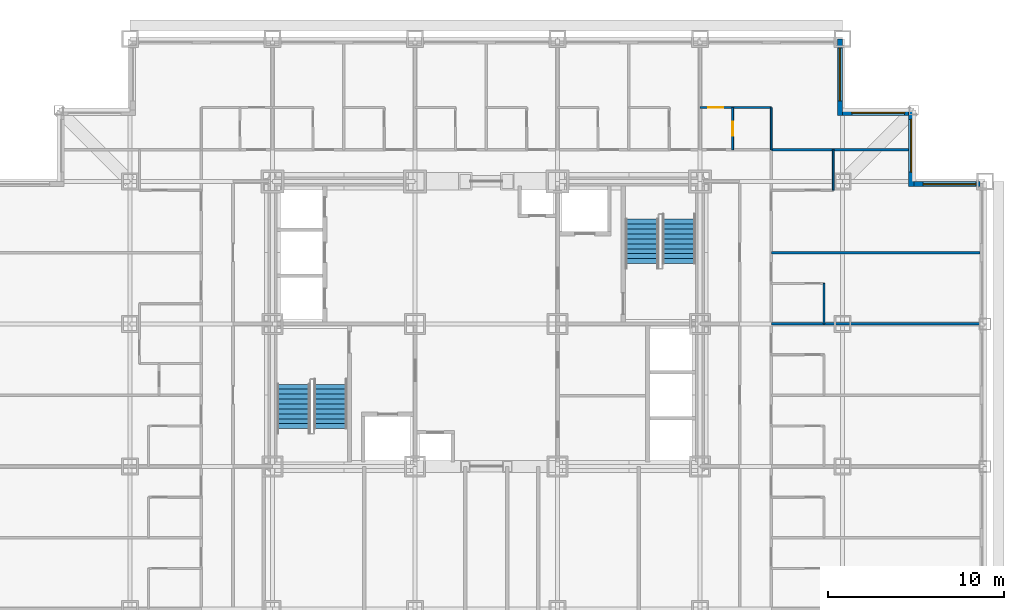
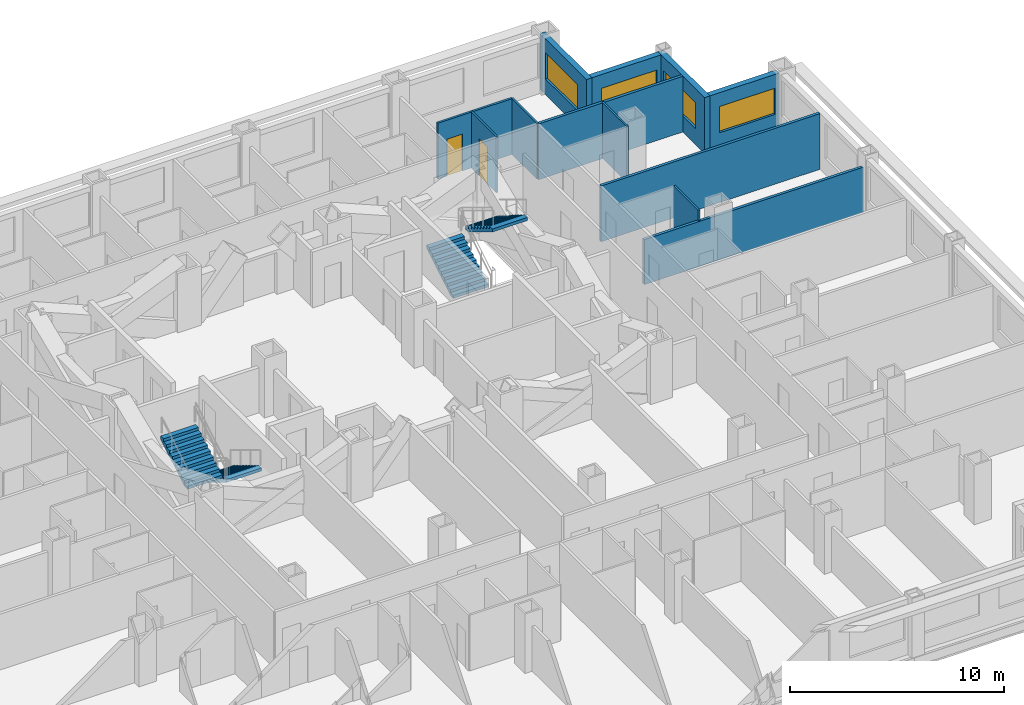
# One storey, part 10 of 11: 12 walls, 4 stair flights, 4 windows, 2 doors, 6 openings, 2 elements without a shape of their own.
"""IFC4 building model written with IfcOpenShell, lengths in metres."""

from ifc_helpers import new_model, si_unit, direction, frame, frame_2d, origin, place, context, subcontext, project, spatial, rectangle, extrude, polygons, source, transform, mapped, material, layer, layer_set, type_object, element, fill, aggregate, save


model = new_model("IFC4")

# Units and contexts
model_context = context("Model", 3, precision=1e-05, world=origin(), true_north=direction((0.0, 1.0)))
body_context = subcontext(model_context, "Body", "Model", "MODEL_VIEW")
ifc_project = project(units=[si_unit("LENGTHUNIT", "METRE"), si_unit("AREAUNIT", "SQUARE_METRE"), si_unit("VOLUMEUNIT", "CUBIC_METRE"), si_unit("PLANEANGLEUNIT", "RADIAN"), si_unit("MASSUNIT", "GRAM", prefix="KILO")], contexts=[model_context])

# Site, building, storey
site_placement = place(None, origin())
site = spatial("IfcSite", under=ifc_project, at=site_placement, CompositionType="ELEMENT")
building_placement = place(site_placement, origin())
building = spatial("IfcBuilding", under=site, at=building_placement, Name="Kopane Lantern Tower", CompositionType="ELEMENT")
storey_placement = place(building_placement, frame((0.0, 0.0, 60.199951171875)))
storey = spatial("IfcBuildingStorey", under=building, at=storey_placement, Name="L14", CompositionType="ELEMENT", Elevation=60.199951171875)

# Wall, opening, door
ifc_material_1 = material(Name="Gypsum board on steel studs", Category="steel")
ifc_layer_1 = layer(ifc_material_1, 0.1201171875)
ifc_layer_set_1 = layer_set([ifc_layer_1], Name="APARTMENT INTERNAL WALL 120")
wall_type_1 = type_object("IfcWallType", Name="APARTMENT INTERNAL WALL 120", PredefinedType="PARTITIONING", material=ifc_layer_set_1)
wall_1_placement = place(storey_placement, frame((40.5, 44.699951171875, 0.0), z_axis=(0.0, 0.0, 1.0), x_axis=(1.0, 0.0, 0.0)))
wall_1 = element("IfcWall", 1, at=wall_1_placement, inside=storey, type_object=wall_type_1, Name="Apartment Internal Wall 120 L14", PredefinedType="PARTITIONING", context=body_context, shape_type="SweptSolid", body=[
    extrude(rectangle(XDim=4.050048828125, YDim=0.1201171875, at=frame_2d((2.02490234375, 0.0))), origin(), (0.0, 0.0, 1.0), 3.18994140625),
])
opening_1_placement = place(wall_1_placement, frame((0.47509765625, 0.0, 0.0)))
opening_1 = element("IfcOpeningElement", 2, at=opening_1_placement, cuts=wall_1, Name="Opening L14-072", PredefinedType="OPENING", context=body_context, shape_type="SweptSolid", body=[
    extrude(rectangle(XDim=0.85009765625, YDim=2.10009765625, at=frame_2d((0.425048828125, 1.050048828125))), frame((0.0, 0.070068359375, 0.0), z_axis=(0.0, -1.0, 0.0), x_axis=(1.0, 0.0, 0.0)), (0.0, 0.0, 1.0), 0.14013671875),
])
ifc_material_2 = material(Name="Timber door set", Category="wood")
door_type_1 = type_object("IfcDoorType", Name="DOOR D4 850x2100", OperationType="SINGLE_SWING_LEFT", PredefinedType="DOOR", material=ifc_material_2)
door_1_placement = place(opening_1_placement, origin())
door_1 = element("IfcDoor", 3, at=door_1_placement, inside=storey, type_object=door_type_1, Name="Door L14-072", OperationType="SINGLE_SWING_LEFT", OverallHeight=2.10009765625, OverallWidth=0.85009765625, PredefinedType="DOOR", context=body_context, shape_type="SweptSolid", body=[
    extrude(rectangle(XDim=0.85009765625, YDim=2.10009765625, at=frame_2d((0.425048828125, 1.050048828125))), frame((0.0, 0.02490234375, 0.0), z_axis=(0.0, -1.0, 0.0), x_axis=(1.0, 0.0, 0.0)), (0.0, 0.0, 1.0), 0.050048828125),
])
fill(opening_1, door_1)

# Walls
ifc_material_3 = material(Name="Moisture-resistant board on steel studs", Category="steel")
ifc_layer_2 = layer(ifc_material_3, 0.10009765625)
ifc_layer_set_2 = layer_set([ifc_layer_2], Name="BATHROOM WALL 100")
wall_type_2 = type_object("IfcWallType", Name="BATHROOM WALL 100", PredefinedType="PARTITIONING", material=ifc_layer_set_2)
for number, where, z_axis, x_axis, name in (
    (4, (47.550048828125, 32.39990234375, 0.0), (0.0, 0.0, 1.0), (0.0, 1.0, 0.0), "Bathroom Wall 100 L14"),
    (5, (48.06494140625, 40.0, 0.0), (0.0, 0.0, 1.0), (0.0, 1.0, 0.0), "Bathroom Wall 100 L14"),
):
    element("IfcWall", number, at=place(storey_placement, frame(where, z_axis=z_axis, x_axis=x_axis)), inside=storey, type_object=wall_type_2, Name=name, PredefinedType="PARTITIONING", context=body_context, shape_type="SweptSolid", body=[
        extrude(rectangle(XDim=2.300048828125, YDim=0.10009765625, at=frame_2d((1.14990234375, 0.0))), origin(), (0.0, 0.0, 1.0), 3.18994140625),
    ])

# Wall, opening, door
wall_2_placement = place(storey_placement, frame((42.35009765625, 42.300048828125, 0.0), z_axis=(0.0, 0.0, 1.0), x_axis=(0.0, 1.0, 0.0)))
wall_2 = element("IfcWall", 6, at=wall_2_placement, inside=storey, type_object=wall_type_2, Name="Bathroom Wall 100 L14", PredefinedType="PARTITIONING", context=body_context, shape_type="SweptSolid", body=[
    extrude(rectangle(XDim=2.39990234375, YDim=0.10009765625, at=frame_2d((1.199951171875, 0.0))), origin(), (0.0, 0.0, 1.0), 3.18994140625),
])
opening_2_placement = place(wall_2_placement, frame((0.800048828125, 0.0, 0.0)))
opening_2 = element("IfcOpeningElement", 7, at=opening_2_placement, cuts=wall_2, Name="Opening L14-070", PredefinedType="OPENING", context=body_context, shape_type="SweptSolid", body=[
    extrude(rectangle(XDim=0.800048828125, YDim=2.10009765625, at=frame_2d((0.39990234375, 1.050048828125))), frame((0.0, 0.06005859375, 0.0), z_axis=(0.0, -1.0, 0.0), x_axis=(1.0, 0.0, 0.0)), (0.0, 0.0, 1.0), 0.1201171875),
])
ifc_material_4 = material(Name="Timber door set", Category="wood")
door_type_2 = type_object("IfcDoorType", Name="DOOR D2 800x2100", OperationType="SINGLE_SWING_LEFT", PredefinedType="DOOR", material=ifc_material_4)
door_2_placement = place(opening_2_placement, origin())
door_2 = element("IfcDoor", 8, at=door_2_placement, inside=storey, type_object=door_type_2, Name="Door L14-070", OperationType="SINGLE_SWING_RIGHT", OverallHeight=2.10009765625, OverallWidth=0.800048828125, PredefinedType="DOOR", context=body_context, shape_type="SweptSolid", body=[
    extrude(rectangle(XDim=0.800048828125, YDim=2.10009765625, at=frame_2d((0.39990234375, 1.050048828125))), frame((0.0, 0.02490234375, 0.0), z_axis=(0.0, -1.0, 0.0), x_axis=(1.0, 0.0, 0.0)), (0.0, 0.0, 1.0), 0.050048828125),
])
fill(opening_2, door_2)

# Walls
wall_3_placement = place(storey_placement, frame((44.550048828125, 42.300048828125, 0.0), z_axis=(0.0, 0.0, 1.0), x_axis=(0.0, 1.0, 0.0)))
element("IfcWall", 9, at=wall_3_placement, inside=storey, type_object=wall_type_2, Name="Bathroom Wall 100 L14", PredefinedType="PARTITIONING", context=body_context, shape_type="SweptSolid", body=[
    extrude(rectangle(XDim=2.39990234375, YDim=0.10009765625, at=frame_2d((1.199951171875, 0.0))), origin(), (0.0, 0.0, 1.0), 3.18994140625),
])
ifc_material_5 = material(Name="Gypsum board on steel studs", Category="steel")
ifc_layer_3 = layer(ifc_material_5, 0.14990234375)
ifc_layer_set_3 = layer_set([ifc_layer_3], Name="DEMISING WALL 150 EI 60")
wall_type_3 = type_object("IfcWallType", Name="DEMISING WALL 150 EI 60", PredefinedType="PARTITIONING", material=ifc_layer_set_3)
wall_4_placement = place(storey_placement, frame((44.550048828125, 32.39990234375, 0.0), z_axis=(0.0, 0.0, 1.0), x_axis=(1.0, 0.0, 0.0)))
element("IfcWall", 10, at=wall_4_placement, inside=storey, type_object=wall_type_3, Name="Demising Wall 150 Ei 60 L14", PredefinedType="PARTITIONING", context=body_context, shape_type="SweptSolid", body=[
    extrude(rectangle(XDim=11.849853515625, YDim=0.14990234375, at=frame_2d((5.9248046875, 0.0))), origin(), (0.0, 0.0, 1.0), 2.577880859375),
])
wall_5_placement = place(storey_placement, frame((44.550048828125, 36.449951171875, 0.0), z_axis=(0.0, 0.0, 1.0), x_axis=(1.0, 0.0, 0.0)))
element("IfcWall", 11, at=wall_5_placement, inside=storey, type_object=wall_type_3, Name="Demising Wall 150 Ei 60 L14", PredefinedType="PARTITIONING", context=body_context, shape_type="SweptSolid", body=[
    extrude(rectangle(XDim=11.849853515625, YDim=0.14990234375, at=frame_2d((5.9248046875, 0.0))), origin(), (0.0, 0.0, 1.0), 3.18994140625),
])
wall_6_placement = place(storey_placement, frame((44.550048828125, 42.300048828125, 0.0), z_axis=(0.0, 0.0, 1.0), x_axis=(1.0, 0.0, 0.0)))
element("IfcWall", 12, at=wall_6_placement, inside=storey, type_object=wall_type_3, Name="Demising Wall 150 Ei 60 L14", PredefinedType="PARTITIONING", context=body_context, shape_type="SweptSolid", body=[
    extrude(rectangle(XDim=7.800048828125, YDim=0.14990234375, at=frame_2d((3.89990234375, 0.0))), origin(), (0.0, 0.0, 1.0), 3.18994140625),
])

# Wall, opening, window
ifc_material_6 = material(Name="Terracotta rainscreen on light steel framing", Category="masonry")
ifc_layer_4 = layer(ifc_material_6, 0.300048828125)
ifc_layer_set_4 = layer_set([ifc_layer_4], Name="EXTERNAL WALL EW1 300 TERRACOTTA")
wall_type_4 = type_object("IfcWallType", Name="EXTERNAL WALL EW1 300 TERRACOTTA", PredefinedType="SOLIDWALL", material=ifc_layer_set_4)
wall_7_placement = place(storey_placement, frame((56.39990234375, 40.35009765625, 0.0), z_axis=(0.0, 0.0, 1.0), x_axis=(-1.0, 0.0, 0.0)))
wall_7 = element("IfcWall", 13, at=wall_7_placement, inside=storey, type_object=wall_type_4, Name="External wall N L14", PredefinedType="SOLIDWALL", context=body_context, shape_type="SweptSolid", body=[
    extrude(rectangle(XDim=3.75, YDim=0.300048828125, at=frame_2d((1.875, 0.0))), origin(), (0.0, 0.0, 1.0), 3.18994140625),
])
opening_3_placement = place(wall_7_placement, frame((0.22509765625, 0.0, 0.89990234375)))
opening_3 = element("IfcOpeningElement", 14, at=opening_3_placement, cuts=wall_7, Name="Opening WR300150", PredefinedType="OPENING", context=body_context, shape_type="SweptSolid", body=[
    extrude(rectangle(XDim=3.0, YDim=1.5, at=frame_2d((1.5, 0.75))), frame((0.0, 0.159912109375, 0.0), z_axis=(0.0, -1.0, 0.0), x_axis=(1.0, 0.0, 0.0)), (0.0, 0.0, 1.0), 0.320068359375),
])
ifc_material_7 = material(Name="Aluminium and clear glass", Category="aluminium")
window_type = type_object("IfcWindowType", Name="RIBBON WINDOW WR300150 3000x1500", PartitioningType="SINGLE_PANEL", PredefinedType="WINDOW", material=ifc_material_7)
window_1_placement = place(opening_3_placement, origin())
window_1 = element("IfcWindow", 15, at=window_1_placement, inside=storey, type_object=window_type, Name="Window N L14", OverallHeight=1.5, OverallWidth=3.0, PartitioningType="SINGLE_PANEL", PredefinedType="WINDOW", context=body_context, shape_type="SweptSolid", body=[
    extrude(rectangle(XDim=3.0, YDim=1.5, at=frame_2d((1.5, 0.75))), frame((0.0, 0.030029296875, 0.0), z_axis=(0.0, -1.0, 0.0), x_axis=(1.0, 0.0, 0.0)), (0.0, 0.0, 1.0), 0.06005859375),
])
fill(opening_3, window_1)

wall_8_placement = place(storey_placement, frame((52.5, 40.199951171875, 0.0), z_axis=(0.0, 0.0, 1.0), x_axis=(0.0, 1.0, 0.0)))
wall_8 = element("IfcWall", 16, at=wall_8_placement, inside=storey, type_object=wall_type_4, Name="External wall E L14", PredefinedType="SOLIDWALL", context=body_context, shape_type="SweptSolid", body=[
    extrude(rectangle(XDim=4.35009765625, YDim=0.300048828125, at=frame_2d((2.175048828125, 0.0))), origin(), (0.0, 0.0, 1.0), 3.18994140625),
])
opening_4_placement = place(wall_8_placement, frame((0.824951171875, 0.0, 0.89990234375)))
opening_4 = element("IfcOpeningElement", 17, at=opening_4_placement, cuts=wall_8, Name="Opening WR300150", PredefinedType="OPENING", context=body_context, shape_type="SweptSolid", body=[
    extrude(rectangle(XDim=3.0, YDim=1.5, at=frame_2d((1.5, 0.75))), frame((0.0, 0.159912109375, 0.0), z_axis=(0.0, -1.0, 0.0), x_axis=(1.0, 0.0, 0.0)), (0.0, 0.0, 1.0), 0.320068359375),
])
window_2_placement = place(opening_4_placement, origin())
window_2 = element("IfcWindow", 18, at=window_2_placement, inside=storey, type_object=window_type, Name="Window E L14", OverallHeight=1.5, OverallWidth=3.0, PartitioningType="SINGLE_PANEL", PredefinedType="WINDOW", context=body_context, shape_type="SweptSolid", body=[
    extrude(rectangle(XDim=3.0, YDim=1.5, at=frame_2d((1.5, 0.75))), frame((0.0, 0.030029296875, 0.0), z_axis=(0.0, -1.0, 0.0), x_axis=(1.0, 0.0, 0.0)), (0.0, 0.0, 1.0), 0.06005859375),
])
fill(opening_4, window_2)

wall_9_placement = place(storey_placement, frame((52.35009765625, 44.39990234375, 0.0), z_axis=(0.0, 0.0, 1.0), x_axis=(-1.0, 0.0, 0.0)))
wall_9 = element("IfcWall", 19, at=wall_9_placement, inside=storey, type_object=wall_type_4, Name="External wall N L14", PredefinedType="SOLIDWALL", context=body_context, shape_type="SweptSolid", body=[
    extrude(rectangle(XDim=3.75, YDim=0.300048828125, at=frame_2d((1.875, 0.0))), origin(), (0.0, 0.0, 1.0), 3.18994140625),
])
opening_5_placement = place(wall_9_placement, frame((0.22509765625, 0.0, 0.89990234375)))
opening_5 = element("IfcOpeningElement", 20, at=opening_5_placement, cuts=wall_9, Name="Opening WR300150", PredefinedType="OPENING", context=body_context, shape_type="SweptSolid", body=[
    extrude(rectangle(XDim=3.0, YDim=1.5, at=frame_2d((1.5, 0.75))), frame((0.0, 0.159912109375, 0.0), z_axis=(0.0, -1.0, 0.0), x_axis=(1.0, 0.0, 0.0)), (0.0, 0.0, 1.0), 0.320068359375),
])
window_3_placement = place(opening_5_placement, origin())
window_3 = element("IfcWindow", 21, at=window_3_placement, inside=storey, type_object=window_type, Name="Window N L14", OverallHeight=1.5, OverallWidth=3.0, PartitioningType="SINGLE_PANEL", PredefinedType="WINDOW", context=body_context, shape_type="SweptSolid", body=[
    extrude(rectangle(XDim=3.0, YDim=1.5, at=frame_2d((1.5, 0.75))), frame((0.0, 0.030029296875, 0.0), z_axis=(0.0, -1.0, 0.0), x_axis=(1.0, 0.0, 0.0)), (0.0, 0.0, 1.0), 0.06005859375),
])
fill(opening_5, window_3)

wall_10_placement = place(storey_placement, frame((48.449951171875, 44.25, 0.0), z_axis=(0.0, 0.0, 1.0), x_axis=(0.0, 1.0, 0.0)))
wall_10 = element("IfcWall", 22, at=wall_10_placement, inside=storey, type_object=wall_type_4, Name="External wall E L14", PredefinedType="SOLIDWALL", context=body_context, shape_type="SweptSolid", body=[
    extrude(rectangle(XDim=4.35009765625, YDim=0.300048828125, at=frame_2d((2.175048828125, 0.0))), origin(), (0.0, 0.0, 1.0), 3.18994140625),
])
opening_6_placement = place(wall_10_placement, frame((0.824951171875, 0.0, 0.89990234375)))
opening_6 = element("IfcOpeningElement", 23, at=opening_6_placement, cuts=wall_10, Name="Opening WR300150", PredefinedType="OPENING", context=body_context, shape_type="SweptSolid", body=[
    extrude(rectangle(XDim=3.0, YDim=1.5, at=frame_2d((1.5, 0.75))), frame((0.0, 0.159912109375, 0.0), z_axis=(0.0, -1.0, 0.0), x_axis=(1.0, 0.0, 0.0)), (0.0, 0.0, 1.0), 0.320068359375),
])
window_4_placement = place(opening_6_placement, origin())
window_4 = element("IfcWindow", 24, at=window_4_placement, inside=storey, type_object=window_type, Name="Window E L14", OverallHeight=1.5, OverallWidth=3.0, PartitioningType="SINGLE_PANEL", PredefinedType="WINDOW", context=body_context, shape_type="SweptSolid", body=[
    extrude(rectangle(XDim=3.0, YDim=1.5, at=frame_2d((1.5, 0.75))), frame((0.0, 0.030029296875, 0.0), z_axis=(0.0, -1.0, 0.0), x_axis=(1.0, 0.0, 0.0)), (0.0, 0.0, 1.0), 0.06005859375),
])
fill(opening_6, window_4)

# Stair, stair flights
ifc_material_8 = material(Name="Steel S355JR", Category="steel")
stair_type = type_object("IfcStairType", Name="EXIT STAIR 1900 HALF TURN", PredefinedType="HALF_TURN_STAIR", material=ifc_material_8)
stair_1_placement = place(storey_placement, origin())
stair_1 = element("IfcStair", 25, at=stair_1_placement, inside=storey, type_object=stair_type, Name="Exit stair ST1 L14", PredefinedType="HALF_TURN_STAIR")
ifc_material_9 = material(Name="Steel S355JR", Category="steel")
stair_flight_type = type_object("IfcStairFlightType", Name="STAIR FLIGHT 1900 STEEL", PredefinedType="STRAIGHT", material=ifc_material_9)
shared_shape = source(origin(), body_context, "Body", "Tessellation", [
    polygons([(2.520019531, 0.949951172, 1.530029297), (2.239990234, 0.949951172, 1.530029297), (2.239990234, -0.949951172, 1.530029297), (2.520019531, -0.949951172, 1.530029297), (0.288818359, 0.949951172, 0.0), (2.520019531, 0.949951172, 1.354736328), (2.520019531, -0.949951172, 1.354736328), (0.288818359, -0.949951172, 0.0), (0.0, 0.949951172, 0.0), (0.0, -0.949951172, 0.0), (0.280029297, 0.949951172, 0.169921875), (0.0, 0.949951172, 0.169921875), (0.0, -0.949951172, 0.169921875), (0.280029297, -0.949951172, 0.169921875), (0.280029297, 0.949951172, 0.340087891), (0.280029297, -0.949951172, 0.340087891), (0.560058594, 0.949951172, 0.340087891), (0.560058594, -0.949951172, 0.340087891), (0.560058594, 0.949951172, 0.510009766), (0.560058594, -0.949951172, 0.510009766), (0.840087891, 0.949951172, 0.510009766), (0.840087891, -0.949951172, 0.510009766), (0.840087891, 0.949951172, 0.679931641), (0.840087891, -0.949951172, 0.679931641), (1.120117188, 0.949951172, 0.679931641), (1.120117188, -0.949951172, 0.679931641), (1.120117188, 0.949951172, 0.850097656), (1.120117188, -0.949951172, 0.850097656), (1.399902344, 0.949951172, 0.850097656), (1.399902344, -0.949951172, 0.850097656), (1.399902344, 0.949951172, 1.020019531), (1.399902344, -0.949951172, 1.020019531), (1.679931641, 0.949951172, 1.020019531), (1.679931641, -0.949951172, 1.020019531), (1.679931641, 0.949951172, 1.189941406), (1.679931641, -0.949951172, 1.189941406), (1.959960938, 0.949951172, 1.189941406), (1.959960938, -0.949951172, 1.189941406), (1.959960938, 0.949951172, 1.360107422), (1.959960938, -0.949951172, 1.360107422), (2.239990234, 0.949951172, 1.360107422), (2.239990234, -0.949951172, 1.360107422), (0.0, 0.0, 0.004592483), (0.0, 0.0, 0.009184966), (0.0, 0.0, 0.013777449), (0.0, 0.0, 0.018369932), (0.0, 0.0, 0.022962416), (0.0, 0.0, 0.027554899), (0.0, 0.0, 0.032147382), (0.0, 0.0, 0.036739865), (0.0, 0.0, 0.041332348), (0.0, 0.0, 0.045924831), (0.0, 0.0, 0.050517314), (0.0, 0.0, 0.055109797), (0.0, 0.0, 0.05970228), (0.0, 0.0, 0.064294764), (0.0, 0.0, 0.068887247), (0.0, 0.0, 0.07347973), (0.0, 0.0, 0.078072213), (0.0, 0.0, 0.082664696), (0.0, 0.0, 0.087257179), (0.0, 0.0, 0.091849662), (0.0, 0.0, 0.096442145), (0.0, 0.0, 0.101034628), (0.0, 0.0, 0.105627111), (0.0, 0.0, 0.110219595), (0.0, 0.0, 0.114812078), (0.0, 0.0, 0.119404561), (0.0, 0.0, 0.123997044), (0.0, 0.0, 0.128589527), (0.0, 0.0, 0.13318201), (0.0, 0.0, 0.137774493), (0.0, 0.0, 0.142366976), (0.0, 0.0, 0.146959459), (0.0, 0.0, 0.151551943), (0.0, 0.0, 0.156144426), (0.0, 0.0, 0.160736909), (0.0, 0.0, 0.165329392), (2.520019531, 0.0, 1.359473976), (2.520019531, 0.0, 1.364211624), (2.520019531, 0.0, 1.368949272), (2.520019531, 0.0, 1.373686919), (2.520019531, 0.0, 1.378424567), (2.520019531, 0.0, 1.383162215), (2.520019531, 0.0, 1.387899863), (2.520019531, 0.0, 1.392637511), (2.520019531, 0.0, 1.397375158), (2.520019531, 0.0, 1.402112806), (2.520019531, 0.0, 1.406850454), (2.520019531, 0.0, 1.411588102), (2.520019531, 0.0, 1.41632575), (2.520019531, 0.0, 1.421063397), (2.520019531, 0.0, 1.425801045), (2.520019531, 0.0, 1.430538693), (2.520019531, 0.0, 1.435276341), (2.520019531, 0.0, 1.440013989), (2.520019531, 0.0, 1.444751636), (2.520019531, 0.0, 1.449489284), (2.520019531, 0.0, 1.454226932), (2.520019531, 0.0, 1.45896458), (2.520019531, 0.0, 1.463702228), (2.520019531, 0.0, 1.468439875), (2.520019531, 0.0, 1.473177523), (2.520019531, 0.0, 1.477915171), (2.520019531, 0.0, 1.482652819), (2.520019531, 0.0, 1.487390467), (2.520019531, 0.0, 1.492128114), (2.520019531, 0.0, 1.496865762), (2.520019531, 0.0, 1.50160341), (2.520019531, 0.0, 1.506341058), (2.520019531, 0.0, 1.511078706), (2.520019531, 0.0, 1.515816353), (2.520019531, 0.0, 1.520554001), (2.520019531, 0.0, 1.525291649)], [[[1, 2, 3]], [[1, 3, 4]], [[5, 6, 7]], [[5, 7, 8]], [[9, 5, 8]], [[9, 8, 10]], [[11, 12, 13]], [[11, 13, 14]], [[15, 11, 14]], [[15, 14, 16]], [[17, 15, 16]], [[17, 16, 18]], [[19, 17, 18]], [[19, 18, 20]], [[21, 19, 20]], [[21, 20, 22]], [[23, 21, 22]], [[23, 22, 24]], [[25, 23, 24]], [[25, 24, 26]], [[27, 25, 26]], [[27, 26, 28]], [[29, 27, 28]], [[29, 28, 30]], [[31, 29, 30]], [[31, 30, 32]], [[33, 31, 32]], [[33, 32, 34]], [[35, 33, 34]], [[35, 34, 36]], [[37, 35, 36]], [[37, 36, 38]], [[39, 37, 38]], [[39, 38, 40]], [[41, 39, 40]], [[41, 40, 42]], [[2, 41, 42]], [[2, 42, 3]], [[41, 1, 6]], [[37, 41, 6]], [[2, 1, 41]], [[33, 37, 6]], [[39, 41, 37]], [[35, 37, 33]], [[31, 33, 29]], [[5, 21, 25]], [[27, 29, 25]], [[17, 21, 5]], [[23, 25, 21]], [[11, 17, 5]], [[19, 21, 17]], [[9, 11, 5]], [[15, 17, 11]], [[12, 11, 9]], [[6, 5, 25]], [[6, 25, 29]], [[6, 29, 33]], [[7, 4, 42]], [[7, 42, 38]], [[42, 4, 3]], [[7, 38, 34]], [[38, 42, 40]], [[34, 38, 36]], [[30, 34, 32]], [[26, 22, 8]], [[26, 30, 28]], [[8, 22, 18]], [[22, 26, 24]], [[8, 18, 14]], [[18, 22, 20]], [[8, 14, 10]], [[14, 18, 16]], [[10, 14, 13]], [[26, 8, 7]], [[30, 26, 7]], [[34, 30, 7]], [[10, 43, 9]], [[10, 44, 43]], [[9, 43, 44]], [[10, 45, 44]], [[9, 44, 45]], [[10, 46, 45]], [[9, 45, 46]], [[10, 47, 46]], [[9, 46, 47]], [[10, 48, 47]], [[9, 47, 48]], [[10, 49, 48]], [[9, 48, 49]], [[10, 50, 49]], [[9, 49, 50]], [[10, 51, 50]], [[9, 50, 51]], [[10, 52, 51]], [[9, 51, 52]], [[10, 53, 52]], [[9, 52, 53]], [[10, 54, 53]], [[9, 53, 54]], [[10, 55, 54]], [[9, 54, 55]], [[10, 56, 55]], [[9, 55, 56]], [[10, 57, 56]], [[9, 56, 57]], [[10, 58, 57]], [[9, 57, 58]], [[10, 59, 58]], [[9, 58, 59]], [[10, 60, 59]], [[9, 59, 60]], [[10, 61, 60]], [[9, 60, 61]], [[10, 62, 61]], [[9, 61, 62]], [[10, 63, 62]], [[9, 62, 63]], [[10, 64, 63]], [[9, 63, 64]], [[10, 65, 64]], [[9, 64, 65]], [[10, 66, 65]], [[9, 65, 66]], [[10, 67, 66]], [[9, 66, 67]], [[10, 68, 67]], [[9, 67, 68]], [[10, 69, 68]], [[9, 68, 69]], [[10, 70, 69]], [[9, 69, 70]], [[10, 71, 70]], [[9, 70, 71]], [[10, 72, 71]], [[9, 71, 72]], [[10, 73, 72]], [[9, 72, 73]], [[10, 74, 73]], [[9, 73, 74]], [[10, 75, 74]], [[9, 74, 75]], [[10, 76, 75]], [[9, 75, 76]], [[10, 77, 76]], [[9, 76, 77]], [[10, 78, 77]], [[9, 77, 78]], [[10, 13, 78]], [[78, 13, 12]], [[9, 78, 12]], [[7, 6, 79]], [[7, 79, 80]], [[6, 80, 79]], [[7, 80, 81]], [[6, 81, 80]], [[7, 81, 82]], [[6, 82, 81]], [[7, 82, 83]], [[6, 83, 82]], [[7, 83, 84]], [[6, 84, 83]], [[7, 84, 85]], [[6, 85, 84]], [[7, 85, 86]], [[6, 86, 85]], [[7, 86, 87]], [[6, 87, 86]], [[7, 87, 88]], [[6, 88, 87]], [[7, 88, 89]], [[6, 89, 88]], [[7, 89, 90]], [[6, 90, 89]], [[7, 90, 91]], [[6, 91, 90]], [[7, 91, 92]], [[6, 92, 91]], [[7, 92, 93]], [[6, 93, 92]], [[7, 93, 94]], [[6, 94, 93]], [[7, 94, 95]], [[6, 95, 94]], [[7, 95, 96]], [[6, 96, 95]], [[7, 96, 97]], [[6, 97, 96]], [[7, 97, 98]], [[6, 98, 97]], [[7, 98, 99]], [[6, 99, 98]], [[7, 99, 100]], [[6, 100, 99]], [[7, 100, 101]], [[6, 101, 100]], [[7, 101, 102]], [[6, 102, 101]], [[7, 102, 103]], [[6, 103, 102]], [[7, 103, 104]], [[6, 104, 103]], [[7, 104, 105]], [[6, 105, 104]], [[7, 105, 106]], [[6, 106, 105]], [[7, 106, 107]], [[6, 107, 106]], [[7, 107, 108]], [[6, 108, 107]], [[7, 108, 109]], [[6, 109, 108]], [[7, 109, 110]], [[6, 110, 109]], [[7, 110, 111]], [[6, 111, 110]], [[7, 111, 112]], [[6, 112, 111]], [[7, 112, 113]], [[6, 113, 112]], [[7, 113, 114]], [[6, 114, 113]], [[7, 114, 4]], [[114, 1, 4]], [[6, 1, 114]]], closed=True),
])
stair_flight_1_placement = place(storey_placement, frame((19.5, 28.969970703125, 0.0), z_axis=(0.0, 0.0, 1.0), x_axis=(0.0, -1.0, 0.0)))
stair_flight_1 = element("IfcStairFlight", 26, at=stair_flight_1_placement, type_object=stair_flight_type, Name="ST1 flight 1", NumberOfRisers=10, NumberOfTreads=9, PredefinedType="STRAIGHT", RiserHeight=0.17, TreadLength=0.28, context=body_context, shape_type="MappedRepresentation", body=[
    mapped(shared_shape, transform((0.0, 0.0, 0.0))),
])
stair_flight_2_placement = place(storey_placement, frame((17.39990234375, 26.449951171875, 1.699951171875), z_axis=(0.0, 0.0, 1.0), x_axis=(0.0, 1.0, 0.0)))
stair_flight_2 = element("IfcStairFlight", 27, at=stair_flight_2_placement, type_object=stair_flight_type, Name="ST1 flight 2", NumberOfRisers=10, NumberOfTreads=9, PredefinedType="STRAIGHT", RiserHeight=0.17, TreadLength=0.28, context=body_context, shape_type="MappedRepresentation", body=[
    mapped(shared_shape, transform((0.0, 0.0, 0.0))),
])
aggregate(stair_1, [stair_flight_1, stair_flight_2])

stair_2_placement = place(storey_placement, origin())
stair_2 = element("IfcStair", 28, at=stair_2_placement, inside=storey, type_object=stair_type, Name="Exit stair ST2 L14", PredefinedType="HALF_TURN_STAIR")
stair_flight_3_placement = place(storey_placement, frame((37.199951171875, 35.830078125, 0.0), z_axis=(0.0, 0.0, 1.0), x_axis=(0.0, 1.0, 0.0)))
stair_flight_3 = element("IfcStairFlight", 29, at=stair_flight_3_placement, type_object=stair_flight_type, Name="ST2 flight 1", NumberOfRisers=10, NumberOfTreads=9, PredefinedType="STRAIGHT", RiserHeight=0.17, TreadLength=0.28, context=body_context, shape_type="MappedRepresentation", body=[
    mapped(shared_shape, transform((0.0, 0.0, 0.0))),
])
stair_flight_4_placement = place(storey_placement, frame((39.300048828125, 38.35009765625, 1.699951171875), z_axis=(0.0, 0.0, 1.0), x_axis=(0.0, -1.0, 0.0)))
stair_flight_4 = element("IfcStairFlight", 30, at=stair_flight_4_placement, type_object=stair_flight_type, Name="ST2 flight 2", NumberOfRisers=10, NumberOfTreads=9, PredefinedType="STRAIGHT", RiserHeight=0.17, TreadLength=0.28, context=body_context, shape_type="MappedRepresentation", body=[
    mapped(shared_shape, transform((0.0, 0.0, 0.0))),
])
aggregate(stair_2, [stair_flight_3, stair_flight_4])

save(model, "model.ifc")
